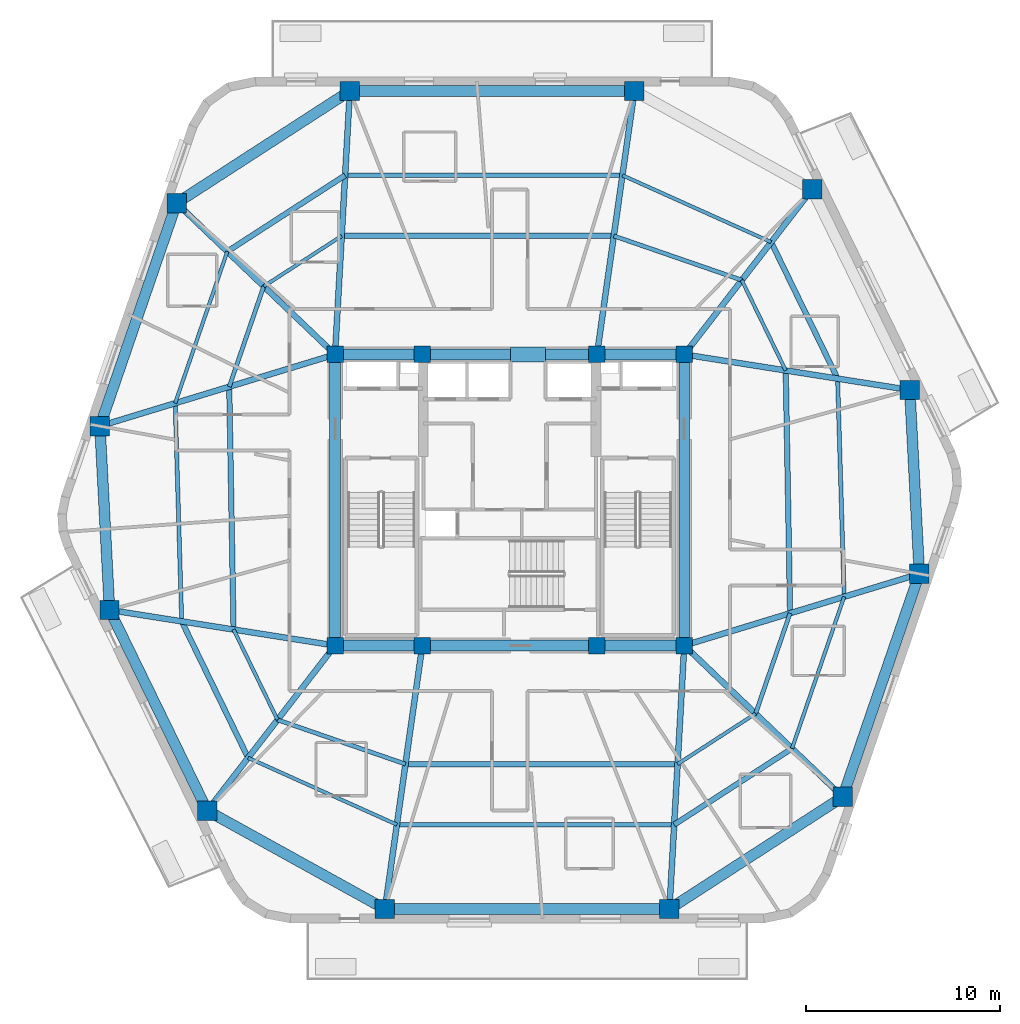
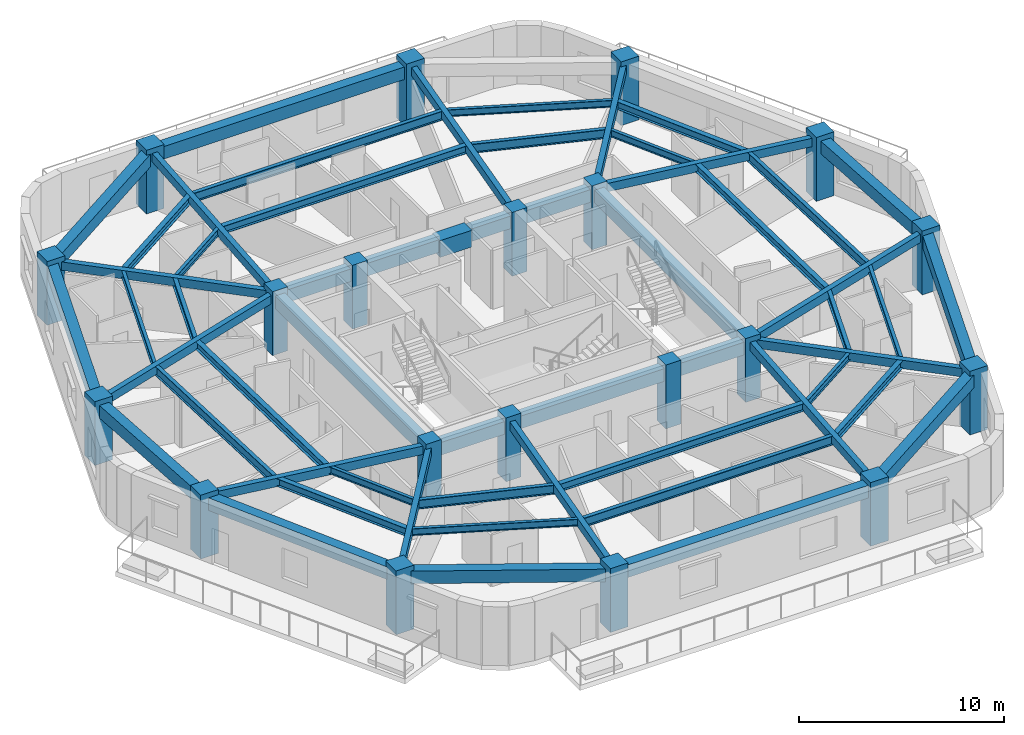
# One storey, part 1 of 10: 55 beams, 20 columns.
"""IFC4 building model written with IfcOpenShell, lengths in metres."""

from ifc_helpers import new_model, si_unit, direction, frame, origin, origin_2d, place, context, subcontext, project, spatial, rectangle, i_section, extrude, material, material_profile, profile_set, type_object, element, save


model = new_model("IFC4")

# Units and contexts
model_context = context("Model", 3, precision=1e-05, world=origin(), true_north=direction((0.0, 1.0)))
body_context = subcontext(model_context, "Body", "Model", "MODEL_VIEW")
ifc_project = project(units=[si_unit("LENGTHUNIT", "METRE"), si_unit("AREAUNIT", "SQUARE_METRE"), si_unit("VOLUMEUNIT", "CUBIC_METRE"), si_unit("PLANEANGLEUNIT", "RADIAN"), si_unit("MASSUNIT", "GRAM", prefix="KILO")], contexts=[model_context])

# Site, building, storey
site_placement = place(None, origin())
site = spatial("IfcSite", under=ifc_project, at=site_placement, CompositionType="ELEMENT")
building_placement = place(site_placement, origin())
building = spatial("IfcBuilding", under=site, at=building_placement, Name="Kilnhurst Terrace Hotel", CompositionType="ELEMENT")
storey_placement = place(building_placement, frame((0.0, 0.0, 214.10009765625)))
storey = spatial("IfcBuildingStorey", under=building, at=storey_placement, Name="L53", CompositionType="ELEMENT", Elevation=214.10009765625)

# Columns
ifc_material_1 = material(Name="Concrete C60/75", Category="concrete")
ifc_material_profile_1 = material_profile(ifc_material_1, rectangle(XDim=1.0, YDim=1.0, at=origin_2d()), Name="RC1000X1000")
ifc_profile_set_1 = profile_set([ifc_material_profile_1], Name="Concrete C60/75")
column_type_1 = type_object("IfcColumnType", Name="COL-RC-1000", PredefinedType="COLUMN", material=ifc_profile_set_1)
for number, where, z_axis, x_axis, name in (
    (1, (-6.429931640625, -21.080078125, 0.0), (0.0, 0.0, 1.0), (1.0, 0.0, 0.0), "L53 Structural Column PC-F11"),
    (2, (8.236083984375, -21.080078125, 0.0), (0.0, 0.0, 1.0), (1.0, 0.0, 0.0), "L53 Structural Column PC-F12"),
    (3, (17.166015625, -15.303955078125, 0.0), (0.0, 0.0, 1.0), (1.0, 0.0, 0.0), "L53 Structural Column PC-F21"),
    (4, (21.117919921875, -3.806884765625, 0.0), (0.0, 0.0, 1.0), (1.0, 0.0, 0.0), "L53 Structural Column PC-F22"),
    (5, (20.6220703125, 5.669921875, 0.0), (0.0, 0.0, 1.0), (1.0, 0.0, 0.0), "L53 Structural Column PC-F31"),
    (6, (15.5869140625, 16.012939453125, 0.0), (0.0, 0.0, 1.0), (1.0, 0.0, 0.0), "L53 Structural Column PC-F32"),
    (7, (6.429931640625, 21.080078125, 0.0), (0.0, 0.0, 1.0), (1.0, 0.0, 0.0), "L53 Structural Column PC-F41"),
    (8, (-8.236083984375, 21.080078125, 0.0), (0.0, 0.0, 1.0), (1.0, 0.0, 0.0), "L53 Structural Column PC-F42"),
    (9, (-17.166015625, 15.303955078125, 0.0), (0.0, 0.0, 1.0), (1.0, 0.0, 0.0), "L53 Structural Column PC-F51"),
    (10, (-21.117919921875, 3.806884765625, 0.0), (0.0, 0.0, 1.0), (1.0, 0.0, 0.0), "L53 Structural Column PC-F52"),
    (11, (-20.6220703125, -5.669921875, 0.0), (0.0, 0.0, 1.0), (1.0, 0.0, 0.0), "L53 Structural Column PC-F61"),
    (12, (-15.5869140625, -16.012939453125, 0.0), (0.0, 0.0, 1.0), (1.0, 0.0, 0.0), "L53 Structural Column PC-F62"),
):
    element("IfcColumn", number, at=place(storey_placement, frame(where, z_axis=z_axis, x_axis=x_axis)), inside=storey, type_object=column_type_1, Name=name, PredefinedType="COLUMN", context=body_context, shape_type="SweptSolid", body=[
        extrude(rectangle(XDim=1.0, YDim=1.0, at=origin_2d()), origin(), (0.0, 0.0, 1.0), 3.7998046875),
    ])
ifc_material_profile_2 = material_profile(ifc_material_1, rectangle(XDim=0.85009765625, YDim=0.85009765625, at=origin_2d()), Name="RC850X850")
ifc_profile_set_2 = profile_set([ifc_material_profile_2], Name="Concrete C60/75")
column_type_2 = type_object("IfcColumnType", Name="COL-RC-850", PredefinedType="COLUMN", material=ifc_profile_set_2)
for number, where, z_axis, x_axis, name in (
    (13, (-9.0, -7.5, 0.0), (0.0, 0.0, 1.0), (1.0, 0.0, 0.0), "L53 Structural Column CC-SW"),
    (14, (-4.5, -7.5, 0.0), (0.0, 0.0, 1.0), (1.0, 0.0, 0.0), "L53 Structural Column CC-SC1"),
    (15, (4.5, -7.5, 0.0), (0.0, 0.0, 1.0), (1.0, 0.0, 0.0), "L53 Structural Column CC-SC2"),
    (16, (9.0, -7.5, 0.0), (0.0, 0.0, 1.0), (1.0, 0.0, 0.0), "L53 Structural Column CC-SE"),
    (17, (9.0, 7.5, 0.0), (0.0, 0.0, 1.0), (1.0, 0.0, 0.0), "L53 Structural Column CC-NE"),
    (18, (4.5, 7.5, 0.0), (0.0, 0.0, 1.0), (1.0, 0.0, 0.0), "L53 Structural Column CC-NC2"),
    (19, (-4.5, 7.5, 0.0), (0.0, 0.0, 1.0), (1.0, 0.0, 0.0), "L53 Structural Column CC-NC1"),
    (20, (-9.0, 7.5, 0.0), (0.0, 0.0, 1.0), (1.0, 0.0, 0.0), "L53 Structural Column CC-NW"),
):
    element("IfcColumn", number, at=place(storey_placement, frame(where, z_axis=z_axis, x_axis=x_axis)), inside=storey, type_object=column_type_2, Name=name, PredefinedType="COLUMN", context=body_context, shape_type="SweptSolid", body=[
        extrude(rectangle(XDim=0.85009765625, YDim=0.85009765625, at=origin_2d()), origin(), (0.0, 0.0, 1.0), 3.7998046875),
    ])

# Beams
ifc_material_2 = material(Name="Concrete C50/60", Category="concrete")
ifc_material_profile_3 = material_profile(ifc_material_2, rectangle(XDim=0.300048828125, YDim=0.5, at=origin_2d()), Name="RC300X500")
ifc_profile_set_3 = profile_set([ifc_material_profile_3], Name="Concrete C50/60")
beam_type_1 = type_object("IfcBeamType", Name="BM-RAD-300X500", PredefinedType="BEAM", material=ifc_profile_set_3)
beam_1_placement = place(storey_placement, frame((-4.5, -7.5, 3.25), z_axis=(-0.140701170889, -0.990052109997, 0.0), x_axis=(0.990052109997, -0.140701170889, 0.0)))
element("IfcBeam", 21, at=beam_1_placement, inside=storey, type_object=beam_type_1, Name="L53 Radial Floor Beam 1", PredefinedType="BEAM", context=body_context, shape_type="SweptSolid", body=[
    extrude(rectangle(XDim=0.300048828125, YDim=0.5, at=origin_2d()), origin(), (0.0, 0.0, 1.0), 13.716552734375),
])
beam_2_placement = place(storey_placement, frame((9.0, -7.5, 3.25), z_axis=(-0.056163905291, -0.998421562138, 0.0), x_axis=(0.998421562138, -0.056163905291, 0.0)))
element("IfcBeam", 22, at=beam_2_placement, inside=storey, type_object=beam_type_1, Name="L53 Radial Floor Beam 2", PredefinedType="BEAM", context=body_context, shape_type="SweptSolid", body=[
    extrude(rectangle(XDim=0.300048828125, YDim=0.5, at=origin_2d()), origin(), (0.0, 0.0, 1.0), 13.6015625),
])
beam_3_placement = place(storey_placement, frame((9.0, -7.5, 3.25), z_axis=(0.722952064528, -0.690898192497, 0.0), x_axis=(0.690898192497, 0.722952064528, 0.0)))
element("IfcBeam", 23, at=beam_3_placement, inside=storey, type_object=beam_type_1, Name="L53 Radial Floor Beam 3", PredefinedType="BEAM", context=body_context, shape_type="SweptSolid", body=[
    extrude(rectangle(XDim=0.300048828125, YDim=0.5, at=origin_2d()), origin(), (0.0, 0.0, 1.0), 11.29541015625),
])
beam_4_placement = place(storey_placement, frame((9.0, -7.5, 3.25), z_axis=(0.956562713724, 0.291526627793, 0.0), x_axis=(-0.291526627793, 0.956562713724, 0.0)))
element("IfcBeam", 24, at=beam_4_placement, inside=storey, type_object=beam_type_1, Name="L53 Radial Floor Beam 4", PredefinedType="BEAM", context=body_context, shape_type="SweptSolid", body=[
    extrude(rectangle(XDim=0.300048828125, YDim=0.5, at=origin_2d()), origin(), (0.0, 0.0, 1.0), 12.668212890625),
])
beam_5_placement = place(storey_placement, frame((9.0, 7.5, 3.25), z_axis=(0.987828160163, -0.155549111179, 0.0), x_axis=(0.155549111179, 0.987828160163, 0.0)))
element("IfcBeam", 25, at=beam_5_placement, inside=storey, type_object=beam_type_1, Name="L53 Radial Floor Beam 5", PredefinedType="BEAM", context=body_context, shape_type="SweptSolid", body=[
    extrude(rectangle(XDim=0.300048828125, YDim=0.5, at=origin_2d()), origin(), (0.0, 0.0, 1.0), 11.765380859375),
])
beam_6_placement = place(storey_placement, frame((9.0, 7.5, 3.25), z_axis=(0.611955412533, 0.790892263884, 0.0), x_axis=(-0.790892263884, 0.611955412533, 0.0)))
element("IfcBeam", 26, at=beam_6_placement, inside=storey, type_object=beam_type_1, Name="L53 Radial Floor Beam 6", PredefinedType="BEAM", context=body_context, shape_type="SweptSolid", body=[
    extrude(rectangle(XDim=0.300048828125, YDim=0.5, at=origin_2d()), origin(), (0.0, 0.0, 1.0), 10.763671875),
])
beam_7_placement = place(storey_placement, frame((4.5, 7.5, 3.25), z_axis=(0.140701170889, 0.990052109997, 0.0), x_axis=(-0.990052109997, 0.140701170889, 0.0)))
element("IfcBeam", 27, at=beam_7_placement, inside=storey, type_object=beam_type_1, Name="L53 Radial Floor Beam 7", PredefinedType="BEAM", context=body_context, shape_type="SweptSolid", body=[
    extrude(rectangle(XDim=0.300048828125, YDim=0.5, at=origin_2d()), origin(), (0.0, 0.0, 1.0), 13.716552734375),
])
beam_8_placement = place(storey_placement, frame((-9.0, 7.5, 3.25), z_axis=(0.056163905291, 0.998421562138, 0.0), x_axis=(-0.998421562138, 0.056163905291, 0.0)))
element("IfcBeam", 28, at=beam_8_placement, inside=storey, type_object=beam_type_1, Name="L53 Radial Floor Beam 8", PredefinedType="BEAM", context=body_context, shape_type="SweptSolid", body=[
    extrude(rectangle(XDim=0.300048828125, YDim=0.5, at=origin_2d()), origin(), (0.0, 0.0, 1.0), 13.6015625),
])
beam_9_placement = place(storey_placement, frame((-9.0, 7.5, 3.25), z_axis=(-0.722952064528, 0.690898192497, 0.0), x_axis=(-0.690898192497, -0.722952064528, 0.0)))
element("IfcBeam", 29, at=beam_9_placement, inside=storey, type_object=beam_type_1, Name="L53 Radial Floor Beam 9", PredefinedType="BEAM", context=body_context, shape_type="SweptSolid", body=[
    extrude(rectangle(XDim=0.300048828125, YDim=0.5, at=origin_2d()), origin(), (0.0, 0.0, 1.0), 11.29541015625),
])
beam_10_placement = place(storey_placement, frame((-9.0, 7.5, 3.25), z_axis=(-0.956562713724, -0.291526627793, 0.0), x_axis=(0.291526627793, -0.956562713724, 0.0)))
element("IfcBeam", 30, at=beam_10_placement, inside=storey, type_object=beam_type_1, Name="L53 Radial Floor Beam 10", PredefinedType="BEAM", context=body_context, shape_type="SweptSolid", body=[
    extrude(rectangle(XDim=0.300048828125, YDim=0.5, at=origin_2d()), origin(), (0.0, 0.0, 1.0), 12.668212890625),
])
beam_11_placement = place(storey_placement, frame((-9.0, -7.5, 3.25), z_axis=(-0.987828160163, 0.155549111179, 0.0), x_axis=(-0.155549111179, -0.987828160163, 0.0)))
element("IfcBeam", 31, at=beam_11_placement, inside=storey, type_object=beam_type_1, Name="L53 Radial Floor Beam 11", PredefinedType="BEAM", context=body_context, shape_type="SweptSolid", body=[
    extrude(rectangle(XDim=0.300048828125, YDim=0.5, at=origin_2d()), origin(), (0.0, 0.0, 1.0), 11.765380859375),
])
beam_12_placement = place(storey_placement, frame((-9.0, -7.5, 3.25), z_axis=(-0.611955412533, -0.790892263884, 0.0), x_axis=(0.790892263884, -0.611955412533, 0.0)))
element("IfcBeam", 32, at=beam_12_placement, inside=storey, type_object=beam_type_1, Name="L53 Radial Floor Beam 12", PredefinedType="BEAM", context=body_context, shape_type="SweptSolid", body=[
    extrude(rectangle(XDim=0.300048828125, YDim=0.5, at=origin_2d()), origin(), (0.0, 0.0, 1.0), 10.763671875),
])
ifc_material_profile_4 = material_profile(ifc_material_2, rectangle(XDim=0.550048828125, YDim=0.75, at=origin_2d()), Name="RC550X750")
ifc_profile_set_4 = profile_set([ifc_material_profile_4], Name="Concrete C50/60")
beam_type_2 = type_object("IfcBeamType", Name="BM-SPN-550X750", PredefinedType="SPANDREL", material=ifc_profile_set_4)
beam_13_placement = place(storey_placement, frame((-9.0, 7.5, 3.125), z_axis=(1.0, 0.0, 0.0), x_axis=(0.0, 1.0, 0.0)))
element("IfcBeam", 33, at=beam_13_placement, inside=storey, type_object=beam_type_2, Name="L53 Core Tie Beam CC-NW to CC-NC1", PredefinedType="SPANDREL", context=body_context, shape_type="SweptSolid", body=[
    extrude(rectangle(XDim=0.550048828125, YDim=0.75, at=origin_2d()), origin(), (0.0, 0.0, 1.0), 4.5),
])
beam_14_placement = place(storey_placement, frame((-4.5, 7.5, 3.125), z_axis=(1.0, 0.0, 0.0), x_axis=(0.0, 1.0, 0.0)))
element("IfcBeam", 34, at=beam_14_placement, inside=storey, type_object=beam_type_2, Name="L53 Core Tie Beam CC-NC1 to CC-NC2", PredefinedType="SPANDREL", context=body_context, shape_type="SweptSolid", body=[
    extrude(rectangle(XDim=0.550048828125, YDim=0.75, at=origin_2d()), origin(), (0.0, 0.0, 1.0), 9.0),
])
for number, where, z_axis, x_axis, name in (
    (35, (4.5, 7.5, 3.125), (1.0, 0.0, 0.0), (0.0, 1.0, 0.0), "L53 Core Tie Beam CC-NC2 to CC-NE"),
    (36, (-9.0, -7.5, 3.125), (1.0, 0.0, 0.0), (0.0, 1.0, 0.0), "L53 Core Tie Beam CC-SW to CC-SC1"),
):
    element("IfcBeam", number, at=place(storey_placement, frame(where, z_axis=z_axis, x_axis=x_axis)), inside=storey, type_object=beam_type_2, Name=name, PredefinedType="SPANDREL", context=body_context, shape_type="SweptSolid", body=[
        extrude(rectangle(XDim=0.550048828125, YDim=0.75, at=origin_2d()), origin(), (0.0, 0.0, 1.0), 4.5),
    ])
beam_15_placement = place(storey_placement, frame((-4.5, -7.5, 3.125), z_axis=(1.0, 0.0, 0.0), x_axis=(0.0, 1.0, 0.0)))
element("IfcBeam", 37, at=beam_15_placement, inside=storey, type_object=beam_type_2, Name="L53 Core Tie Beam CC-SC1 to CC-SC2", PredefinedType="SPANDREL", context=body_context, shape_type="SweptSolid", body=[
    extrude(rectangle(XDim=0.550048828125, YDim=0.75, at=origin_2d()), origin(), (0.0, 0.0, 1.0), 9.0),
])
beam_16_placement = place(storey_placement, frame((4.5, -7.5, 3.125), z_axis=(1.0, 0.0, 0.0), x_axis=(0.0, 1.0, 0.0)))
element("IfcBeam", 38, at=beam_16_placement, inside=storey, type_object=beam_type_2, Name="L53 Core Tie Beam CC-SC2 to CC-SE", PredefinedType="SPANDREL", context=body_context, shape_type="SweptSolid", body=[
    extrude(rectangle(XDim=0.550048828125, YDim=0.75, at=origin_2d()), origin(), (0.0, 0.0, 1.0), 4.5),
])
for number, where, z_axis, x_axis, name in (
    (39, (-9.0, -7.5, 3.125), (0.0, 1.0, 0.0), (-1.0, 0.0, 0.0), "L53 Core Tie Beam CC-SW to CC-NW"),
    (40, (9.0, -7.5, 3.125), (0.0, 1.0, 0.0), (-1.0, 0.0, 0.0), "L53 Core Tie Beam CC-SE to CC-NE"),
):
    element("IfcBeam", number, at=place(storey_placement, frame(where, z_axis=z_axis, x_axis=x_axis)), inside=storey, type_object=beam_type_2, Name=name, PredefinedType="SPANDREL", context=body_context, shape_type="SweptSolid", body=[
        extrude(rectangle(XDim=0.550048828125, YDim=0.75, at=origin_2d()), origin(), (0.0, 0.0, 1.0), 15.0),
    ])
beam_17_placement = place(storey_placement, frame((-6.429931640625, -21.080078125, 3.125), z_axis=(1.0, 0.0, 0.0), x_axis=(0.0, 1.0, 0.0)))
element("IfcBeam", 41, at=beam_17_placement, inside=storey, type_object=beam_type_2, Name="L53 Perimeter Spandrel Beam 1", PredefinedType="SPANDREL", context=body_context, shape_type="SweptSolid", body=[
    extrude(rectangle(XDim=0.550048828125, YDim=0.75, at=origin_2d()), origin(), (0.0, 0.0, 1.0), 14.666015625),
])
beam_18_placement = place(storey_placement, frame((8.236083984375, -21.080078125, 3.125), z_axis=(0.839658834217, 0.543114207254, 0.0), x_axis=(-0.543114207254, 0.839658834217, 0.0)))
element("IfcBeam", 42, at=beam_18_placement, inside=storey, type_object=beam_type_2, Name="L53 Perimeter Spandrel Beam 2", PredefinedType="SPANDREL", context=body_context, shape_type="SweptSolid", body=[
    extrude(rectangle(XDim=0.550048828125, YDim=0.75, at=origin_2d()), origin(), (0.0, 0.0, 1.0), 10.63525390625),
])
beam_19_placement = place(storey_placement, frame((17.166015625, -15.303955078125, 3.125), z_axis=(0.325064053802, 0.94569200109, 0.0), x_axis=(-0.94569200109, 0.325064053802, 0.0)))
element("IfcBeam", 43, at=beam_19_placement, inside=storey, type_object=beam_type_2, Name="L53 Perimeter Spandrel Beam 3", PredefinedType="SPANDREL", context=body_context, shape_type="SweptSolid", body=[
    extrude(rectangle(XDim=0.550048828125, YDim=0.75, at=origin_2d()), origin(), (0.0, 0.0, 1.0), 12.1572265625),
])
beam_20_placement = place(storey_placement, frame((21.117919921875, -3.806884765625, 3.125), z_axis=(-0.052250962837, 0.998633985443, 0.0), x_axis=(-0.998633985443, -0.052250962837, 0.0)))
element("IfcBeam", 44, at=beam_20_placement, inside=storey, type_object=beam_type_2, Name="L53 Perimeter Spandrel Beam 4", PredefinedType="SPANDREL", context=body_context, shape_type="SweptSolid", body=[
    extrude(rectangle(XDim=0.550048828125, YDim=0.75, at=origin_2d()), origin(), (0.0, 0.0, 1.0), 9.48974609375),
])
beam_21_placement = place(storey_placement, frame((6.429931640625, 21.080078125, 3.125), z_axis=(-1.0, 0.0, 0.0), x_axis=(0.0, -1.0, 0.0)))
element("IfcBeam", 45, at=beam_21_placement, inside=storey, type_object=beam_type_2, Name="L53 Perimeter Spandrel Beam 7", PredefinedType="SPANDREL", context=body_context, shape_type="SweptSolid", body=[
    extrude(rectangle(XDim=0.550048828125, YDim=0.75, at=origin_2d()), origin(), (0.0, 0.0, 1.0), 14.666015625),
])
beam_22_placement = place(storey_placement, frame((-8.236083984375, 21.080078125, 3.125), z_axis=(-0.839658834217, -0.543114207254, 0.0), x_axis=(0.543114207254, -0.839658834217, 0.0)))
element("IfcBeam", 46, at=beam_22_placement, inside=storey, type_object=beam_type_2, Name="L53 Perimeter Spandrel Beam 8", PredefinedType="SPANDREL", context=body_context, shape_type="SweptSolid", body=[
    extrude(rectangle(XDim=0.550048828125, YDim=0.75, at=origin_2d()), origin(), (0.0, 0.0, 1.0), 10.63525390625),
])
beam_23_placement = place(storey_placement, frame((-17.166015625, 15.303955078125, 3.125), z_axis=(-0.325064053802, -0.94569200109, 0.0), x_axis=(0.94569200109, -0.325064053802, 0.0)))
element("IfcBeam", 47, at=beam_23_placement, inside=storey, type_object=beam_type_2, Name="L53 Perimeter Spandrel Beam 9", PredefinedType="SPANDREL", context=body_context, shape_type="SweptSolid", body=[
    extrude(rectangle(XDim=0.550048828125, YDim=0.75, at=origin_2d()), origin(), (0.0, 0.0, 1.0), 12.1572265625),
])
beam_24_placement = place(storey_placement, frame((-21.117919921875, 3.806884765625, 3.125), z_axis=(0.052250962837, -0.998633985443, 0.0), x_axis=(0.998633985443, 0.052250962837, 0.0)))
element("IfcBeam", 48, at=beam_24_placement, inside=storey, type_object=beam_type_2, Name="L53 Perimeter Spandrel Beam 10", PredefinedType="SPANDREL", context=body_context, shape_type="SweptSolid", body=[
    extrude(rectangle(XDim=0.550048828125, YDim=0.75, at=origin_2d()), origin(), (0.0, 0.0, 1.0), 9.48974609375),
])
beam_25_placement = place(storey_placement, frame((-20.6220703125, -5.669921875, 3.125), z_axis=(0.437705964683, -0.899118172701, 0.0), x_axis=(0.899118172701, 0.437705964683, 0.0)))
element("IfcBeam", 49, at=beam_25_placement, inside=storey, type_object=beam_type_2, Name="L53 Perimeter Spandrel Beam 11", PredefinedType="SPANDREL", context=body_context, shape_type="SweptSolid", body=[
    extrude(rectangle(XDim=0.550048828125, YDim=0.75, at=origin_2d()), origin(), (0.0, 0.0, 1.0), 11.50341796875),
])
beam_26_placement = place(storey_placement, frame((-15.5869140625, -16.012939453125, 3.125), z_axis=(0.874970333121, -0.484176534085, 0.0), x_axis=(0.484176534085, 0.874970333121, 0.0)))
element("IfcBeam", 50, at=beam_26_placement, inside=storey, type_object=beam_type_2, Name="L53 Perimeter Spandrel Beam 12", PredefinedType="SPANDREL", context=body_context, shape_type="SweptSolid", body=[
    extrude(rectangle(XDim=0.550048828125, YDim=0.75, at=origin_2d()), origin(), (0.0, 0.0, 1.0), 10.465576171875),
])
ifc_material_3 = material(Name="Steel ASTM A992 Grade 50", Category="steel")
ifc_material_profile_5 = material_profile(ifc_material_3, i_section(OverallWidth=0.180908203125, OverallDepth=0.417236328125, WebThickness=0.010986328125, FlangeThickness=0.018310546875, at=origin_2d()), Name="W16X57")
ifc_profile_set_5 = profile_set([ifc_material_profile_5], Name="Steel ASTM A992 Grade 50")
beam_type_3 = type_object("IfcBeamType", Name="JST-STL-W16X57", PredefinedType="JOIST", material=ifc_profile_set_5)
beam_27_placement = place(storey_placement, frame((14.552978515625, -12.806640625, 3.291015625), z_axis=(0.325064911916, 0.945691706129, 0.0), x_axis=(-0.945691706129, 0.325064911916, 0.0)))
element("IfcBeam", 51, at=beam_27_placement, inside=storey, type_object=beam_type_3, Name="L53 Secondary Floor Steel Joist OUT.3", PredefinedType="JOIST", context=body_context, shape_type="SweptSolid", body=[
    extrude(i_section(OverallWidth=0.180908203125, OverallDepth=0.417236328125, WebThickness=0.010986328125, FlangeThickness=0.018310546875, at=origin_2d()), origin(), (0.0, 0.0, 1.0), 8.266845703125),
])
beam_28_placement = place(storey_placement, frame((13.479248046875, 13.288818359375, 3.291015625), z_axis=(-0.912120852375, 0.409921395713, 0.0), x_axis=(-0.409921395713, -0.912120852375, 0.0)))
element("IfcBeam", 52, at=beam_28_placement, inside=storey, type_object=beam_type_3, Name="L53 Secondary Floor Steel Joist OUT.6", PredefinedType="JOIST", context=body_context, shape_type="SweptSolid", body=[
    extrude(i_section(OverallWidth=0.180908203125, OverallDepth=0.417236328125, WebThickness=0.010986328125, FlangeThickness=0.018310546875, at=origin_2d()), origin(), (0.0, 0.0, 1.0), 8.405517578125),
])
beam_29_placement = place(storey_placement, frame((-14.552978515625, 12.806640625, 3.291015625), z_axis=(-0.325064911916, -0.945691706129, 0.0), x_axis=(0.945691706129, -0.325064911916, 0.0)))
element("IfcBeam", 53, at=beam_29_placement, inside=storey, type_object=beam_type_3, Name="L53 Secondary Floor Steel Joist OUT.9", PredefinedType="JOIST", context=body_context, shape_type="SweptSolid", body=[
    extrude(i_section(OverallWidth=0.180908203125, OverallDepth=0.417236328125, WebThickness=0.010986328125, FlangeThickness=0.018310546875, at=origin_2d()), origin(), (0.0, 0.0, 1.0), 8.266845703125),
])
beam_30_placement = place(storey_placement, frame((-13.479248046875, -13.288818359375, 3.291015625), z_axis=(0.912120852375, -0.409921395713, 0.0), x_axis=(0.409921395713, 0.912120852375, 0.0)))
element("IfcBeam", 54, at=beam_30_placement, inside=storey, type_object=beam_type_3, Name="L53 Secondary Floor Steel Joist OUT.12", PredefinedType="JOIST", context=body_context, shape_type="SweptSolid", body=[
    extrude(i_section(OverallWidth=0.180908203125, OverallDepth=0.417236328125, WebThickness=0.010986328125, FlangeThickness=0.018310546875, at=origin_2d()), origin(), (0.0, 0.0, 1.0), 8.405517578125),
])
beam_31_placement = place(storey_placement, frame((8.65625, -13.611083984375, 3.291015625), z_axis=(0.839653632344, 0.543122249306, 0.0), x_axis=(-0.543122249306, 0.839653632344, 0.0)))
element("IfcBeam", 55, at=beam_31_placement, inside=storey, type_object=beam_type_3, Name="L53 Secondary Floor Steel Joist IN.2", PredefinedType="JOIST", context=body_context, shape_type="SweptSolid", body=[
    extrude(i_section(OverallWidth=0.180908203125, OverallDepth=0.417236328125, WebThickness=0.010986328125, FlangeThickness=0.018310546875, at=origin_2d()), origin(), (0.0, 0.0, 1.0), 4.785888671875),
])
beam_32_placement = place(storey_placement, frame((14.22998046875, 6.676513671875, 3.291015625), z_axis=(-0.437718230281, 0.899112201496, 0.0), x_axis=(-0.899112201496, -0.437718230281, 0.0)))
element("IfcBeam", 56, at=beam_32_placement, inside=storey, type_object=beam_type_3, Name="L53 Secondary Floor Steel Joist IN.5", PredefinedType="JOIST", context=body_context, shape_type="SweptSolid", body=[
    extrude(i_section(OverallWidth=0.180908203125, OverallDepth=0.417236328125, WebThickness=0.010986328125, FlangeThickness=0.018310546875, at=origin_2d()), origin(), (0.0, 0.0, 1.0), 5.176513671875),
])
beam_33_placement = place(storey_placement, frame((-8.65625, 13.611083984375, 3.291015625), z_axis=(-0.839653632344, -0.543122249306, 0.0), x_axis=(0.543122249306, -0.839653632344, 0.0)))
element("IfcBeam", 57, at=beam_33_placement, inside=storey, type_object=beam_type_3, Name="L53 Secondary Floor Steel Joist IN.8", PredefinedType="JOIST", context=body_context, shape_type="SweptSolid", body=[
    extrude(i_section(OverallWidth=0.180908203125, OverallDepth=0.417236328125, WebThickness=0.010986328125, FlangeThickness=0.018310546875, at=origin_2d()), origin(), (0.0, 0.0, 1.0), 4.785888671875),
])
beam_34_placement = place(storey_placement, frame((-14.22998046875, -6.676513671875, 3.291015625), z_axis=(0.437718230281, -0.899112201496, 0.0), x_axis=(0.899112201496, 0.437718230281, 0.0)))
element("IfcBeam", 58, at=beam_34_placement, inside=storey, type_object=beam_type_3, Name="L53 Secondary Floor Steel Joist IN.11", PredefinedType="JOIST", context=body_context, shape_type="SweptSolid", body=[
    extrude(i_section(OverallWidth=0.180908203125, OverallDepth=0.417236328125, WebThickness=0.010986328125, FlangeThickness=0.018310546875, at=origin_2d()), origin(), (0.0, 0.0, 1.0), 5.176513671875),
])
ifc_material_profile_6 = material_profile(ifc_material_3, i_section(OverallWidth=0.279296875, OverallDepth=0.462890625, WebThickness=0.0107421875, FlangeThickness=0.017333984375, at=origin_2d()), Name="W18X76")
ifc_profile_set_6 = profile_set([ifc_material_profile_6], Name="Steel ASTM A992 Grade 50")
beam_type_4 = type_object("IfcBeamType", Name="JST-STL-W18X76", PredefinedType="JOIST", material=ifc_profile_set_6)
beam_35_placement = place(storey_placement, frame((8.48046875, -16.734375, 3.267822265625), z_axis=(0.839667054453, 0.543101498494, 0.0), x_axis=(-0.543101498494, 0.839667054453, 0.0)))
element("IfcBeam", 59, at=beam_35_placement, inside=storey, type_object=beam_type_4, Name="L53 Secondary Floor Steel Joist OUT.2", PredefinedType="JOIST", context=body_context, shape_type="SweptSolid", body=[
    extrude(i_section(OverallWidth=0.279296875, OverallDepth=0.462890625, WebThickness=0.0107421875, FlangeThickness=0.017333984375, at=origin_2d()), origin(), (0.0, 0.0, 1.0), 7.23193359375),
])
beam_36_placement = place(storey_placement, frame((16.903076171875, 6.255615234375, 3.267822265625), z_axis=(-0.437700347277, 0.899120907328, 0.0), x_axis=(-0.899120907328, -0.437700347277, 0.0)))
element("IfcBeam", 60, at=beam_36_placement, inside=storey, type_object=beam_type_4, Name="L53 Secondary Floor Steel Joist OUT.5", PredefinedType="JOIST", context=body_context, shape_type="SweptSolid", body=[
    extrude(i_section(OverallWidth=0.279296875, OverallDepth=0.462890625, WebThickness=0.0107421875, FlangeThickness=0.017333984375, at=origin_2d()), origin(), (0.0, 0.0, 1.0), 7.822265625),
])
beam_37_placement = place(storey_placement, frame((-8.48046875, 16.734375, 3.267822265625), z_axis=(-0.839667054453, -0.543101498494, 0.0), x_axis=(0.543101498494, -0.839667054453, 0.0)))
element("IfcBeam", 61, at=beam_37_placement, inside=storey, type_object=beam_type_4, Name="L53 Secondary Floor Steel Joist OUT.8", PredefinedType="JOIST", context=body_context, shape_type="SweptSolid", body=[
    extrude(i_section(OverallWidth=0.279296875, OverallDepth=0.462890625, WebThickness=0.0107421875, FlangeThickness=0.017333984375, at=origin_2d()), origin(), (0.0, 0.0, 1.0), 7.23193359375),
])
beam_38_placement = place(storey_placement, frame((-16.903076171875, -6.255615234375, 3.267822265625), z_axis=(0.437700347277, -0.899120907328, 0.0), x_axis=(0.899120907328, 0.437700347277, 0.0)))
element("IfcBeam", 62, at=beam_38_placement, inside=storey, type_object=beam_type_4, Name="L53 Secondary Floor Steel Joist OUT.11", PredefinedType="JOIST", context=body_context, shape_type="SweptSolid", body=[
    extrude(i_section(OverallWidth=0.279296875, OverallDepth=0.462890625, WebThickness=0.0107421875, FlangeThickness=0.017333984375, at=origin_2d()), origin(), (0.0, 0.0, 1.0), 7.822265625),
])
beam_39_placement = place(storey_placement, frame((-5.368408203125, -13.611083984375, 3.267822265625), z_axis=(1.0, 0.0, 0.0), x_axis=(0.0, 1.0, 0.0)))
element("IfcBeam", 63, at=beam_39_placement, inside=storey, type_object=beam_type_4, Name="L53 Secondary Floor Steel Joist IN.1", PredefinedType="JOIST", context=body_context, shape_type="SweptSolid", body=[
    extrude(i_section(OverallWidth=0.279296875, OverallDepth=0.462890625, WebThickness=0.0107421875, FlangeThickness=0.017333984375, at=origin_2d()), origin(), (0.0, 0.0, 1.0), 14.024658203125),
])
beam_40_placement = place(storey_placement, frame((14.453125, -5.838134765625, 3.267822265625), z_axis=(-0.017827833387, 0.999841071549, 0.0), x_axis=(-0.999841071549, -0.017827833387, 0.0)))
element("IfcBeam", 64, at=beam_40_placement, inside=storey, type_object=beam_type_4, Name="L53 Secondary Floor Steel Joist IN.4", PredefinedType="JOIST", context=body_context, shape_type="SweptSolid", body=[
    extrude(i_section(OverallWidth=0.279296875, OverallDepth=0.462890625, WebThickness=0.0107421875, FlangeThickness=0.017333984375, at=origin_2d()), origin(), (0.0, 0.0, 1.0), 12.5166015625),
])
beam_41_placement = place(storey_placement, frame((5.368408203125, 13.611083984375, 3.267822265625), z_axis=(-1.0, 0.0, 0.0), x_axis=(0.0, -1.0, 0.0)))
element("IfcBeam", 65, at=beam_41_placement, inside=storey, type_object=beam_type_4, Name="L53 Secondary Floor Steel Joist IN.7", PredefinedType="JOIST", context=body_context, shape_type="SweptSolid", body=[
    extrude(i_section(OverallWidth=0.279296875, OverallDepth=0.462890625, WebThickness=0.0107421875, FlangeThickness=0.017333984375, at=origin_2d()), origin(), (0.0, 0.0, 1.0), 14.024658203125),
])
beam_42_placement = place(storey_placement, frame((-14.453125, 5.838134765625, 3.267822265625), z_axis=(0.017827833387, -0.999841071549, 0.0), x_axis=(0.999841071549, 0.017827833387, 0.0)))
element("IfcBeam", 66, at=beam_42_placement, inside=storey, type_object=beam_type_4, Name="L53 Secondary Floor Steel Joist IN.10", PredefinedType="JOIST", context=body_context, shape_type="SweptSolid", body=[
    extrude(i_section(OverallWidth=0.279296875, OverallDepth=0.462890625, WebThickness=0.0107421875, FlangeThickness=0.017333984375, at=origin_2d()), origin(), (0.0, 0.0, 1.0), 12.5166015625),
])
ifc_material_profile_7 = material_profile(ifc_material_3, i_section(OverallWidth=0.2138671875, OverallDepth=0.549072265625, WebThickness=0.0146484375, FlangeThickness=0.023681640625, at=origin_2d()), Name="W21X93")
ifc_profile_set_7 = profile_set([ifc_material_profile_7], Name="Steel ASTM A992 Grade 50")
beam_type_5 = type_object("IfcBeamType", Name="JST-STL-W21X93", PredefinedType="JOIST", material=ifc_profile_set_7)
beam_43_placement = place(storey_placement, frame((-5.8125, -16.734375, 3.224853515625), z_axis=(1.0, 0.0, 0.0), x_axis=(0.0, 1.0, 0.0)))
element("IfcBeam", 67, at=beam_43_placement, inside=storey, type_object=beam_type_5, Name="L53 Secondary Floor Steel Joist OUT.1", PredefinedType="JOIST", context=body_context, shape_type="SweptSolid", body=[
    extrude(i_section(OverallWidth=0.2138671875, OverallDepth=0.549072265625, WebThickness=0.0146484375, FlangeThickness=0.023681640625, at=origin_2d()), origin(), (0.0, 0.0, 1.0), 14.29296875),
])
beam_44_placement = place(storey_placement, frame((17.240234375, -4.98876953125, 3.224853515625), z_axis=(-0.029971114202, 0.999550765251, 0.0), x_axis=(-0.999550765251, -0.029971114202, 0.0)))
element("IfcBeam", 68, at=beam_44_placement, inside=storey, type_object=beam_type_5, Name="L53 Secondary Floor Steel Joist OUT.4", PredefinedType="JOIST", context=body_context, shape_type="SweptSolid", body=[
    extrude(i_section(OverallWidth=0.2138671875, OverallDepth=0.549072265625, WebThickness=0.0146484375, FlangeThickness=0.023681640625, at=origin_2d()), origin(), (0.0, 0.0, 1.0), 11.24951171875),
])
beam_45_placement = place(storey_placement, frame((5.8125, 16.734375, 3.224853515625), z_axis=(-1.0, 0.0, 0.0), x_axis=(0.0, -1.0, 0.0)))
element("IfcBeam", 69, at=beam_45_placement, inside=storey, type_object=beam_type_5, Name="L53 Secondary Floor Steel Joist OUT.7", PredefinedType="JOIST", context=body_context, shape_type="SweptSolid", body=[
    extrude(i_section(OverallWidth=0.2138671875, OverallDepth=0.549072265625, WebThickness=0.0146484375, FlangeThickness=0.023681640625, at=origin_2d()), origin(), (0.0, 0.0, 1.0), 14.29296875),
])
beam_46_placement = place(storey_placement, frame((-17.240234375, 4.98876953125, 3.224853515625), z_axis=(0.029971114202, -0.999550765251, 0.0), x_axis=(0.999550765251, 0.029971114202, 0.0)))
element("IfcBeam", 70, at=beam_46_placement, inside=storey, type_object=beam_type_5, Name="L53 Secondary Floor Steel Joist OUT.10", PredefinedType="JOIST", context=body_context, shape_type="SweptSolid", body=[
    extrude(i_section(OverallWidth=0.2138671875, OverallDepth=0.549072265625, WebThickness=0.0146484375, FlangeThickness=0.023681640625, at=origin_2d()), origin(), (0.0, 0.0, 1.0), 11.24951171875),
])
beam_47_placement = place(storey_placement, frame((12.6748046875, -11.01171875, 3.224853515625), z_axis=(0.325063554612, 0.945692172677, 0.0), x_axis=(-0.945692172677, 0.325063554612, 0.0)))
element("IfcBeam", 71, at=beam_47_placement, inside=storey, type_object=beam_type_5, Name="L53 Secondary Floor Steel Joist IN.3", PredefinedType="JOIST", context=body_context, shape_type="SweptSolid", body=[
    extrude(i_section(OverallWidth=0.2138671875, OverallDepth=0.549072265625, WebThickness=0.0146484375, FlangeThickness=0.023681640625, at=origin_2d()), origin(), (0.0, 0.0, 1.0), 5.470703125),
])
beam_48_placement = place(storey_placement, frame((11.964111328125, 11.330810546875, 3.224853515625), z_axis=(-0.94511244231, 0.326745269884, 0.0), x_axis=(-0.326745269884, -0.94511244231, 0.0)))
element("IfcBeam", 72, at=beam_48_placement, inside=storey, type_object=beam_type_5, Name="L53 Secondary Floor Steel Joist IN.6", PredefinedType="JOIST", context=body_context, shape_type="SweptSolid", body=[
    extrude(i_section(OverallWidth=0.2138671875, OverallDepth=0.549072265625, WebThickness=0.0146484375, FlangeThickness=0.023681640625, at=origin_2d()), origin(), (0.0, 0.0, 1.0), 6.978759765625),
])
beam_49_placement = place(storey_placement, frame((-12.6748046875, 11.01171875, 3.224853515625), z_axis=(-0.325063554612, -0.945692172677, 0.0), x_axis=(0.945692172677, -0.325063554612, 0.0)))
element("IfcBeam", 73, at=beam_49_placement, inside=storey, type_object=beam_type_5, Name="L53 Secondary Floor Steel Joist IN.9", PredefinedType="JOIST", context=body_context, shape_type="SweptSolid", body=[
    extrude(i_section(OverallWidth=0.2138671875, OverallDepth=0.549072265625, WebThickness=0.0146484375, FlangeThickness=0.023681640625, at=origin_2d()), origin(), (0.0, 0.0, 1.0), 5.470703125),
])
beam_50_placement = place(storey_placement, frame((-11.964111328125, -11.330810546875, 3.224853515625), z_axis=(0.94511244231, -0.326745269884, 0.0), x_axis=(0.326745269884, 0.94511244231, 0.0)))
element("IfcBeam", 74, at=beam_50_placement, inside=storey, type_object=beam_type_5, Name="L53 Secondary Floor Steel Joist IN.12", PredefinedType="JOIST", context=body_context, shape_type="SweptSolid", body=[
    extrude(i_section(OverallWidth=0.2138671875, OverallDepth=0.549072265625, WebThickness=0.0146484375, FlangeThickness=0.023681640625, at=origin_2d()), origin(), (0.0, 0.0, 1.0), 6.978759765625),
])
ifc_material_profile_8 = material_profile(ifc_material_1, rectangle(XDim=0.75, YDim=1.0, at=origin_2d()), Name="RC750X1000")
ifc_profile_set_8 = profile_set([ifc_material_profile_8], Name="Concrete C60/75")
beam_type_6 = type_object("IfcBeamType", Name="LNT-CB-750X1000", PredefinedType="LINTEL", material=ifc_profile_set_8)
beam_51_placement = place(storey_placement, frame((0.050048828125, 7.5, 3.0), z_axis=(1.0, 0.0, 0.0), x_axis=(0.0, 1.0, 0.0)))
element("IfcBeam", 75, at=beam_51_placement, inside=storey, type_object=beam_type_6, Name="L53 North Core Coupling Link Beam", PredefinedType="LINTEL", context=body_context, shape_type="SweptSolid", body=[
    extrude(rectangle(XDim=0.75, YDim=1.0, at=origin_2d()), origin(), (0.0, 0.0, 1.0), 1.800048828125),
])

save(model, "model.ifc")
